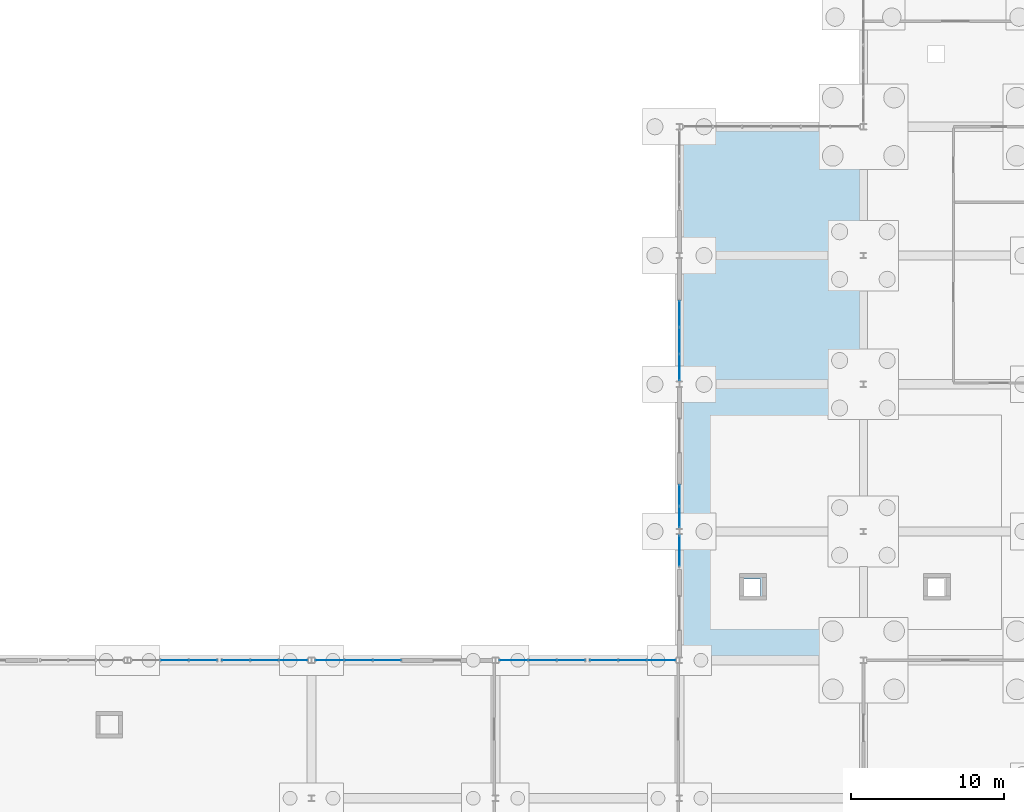
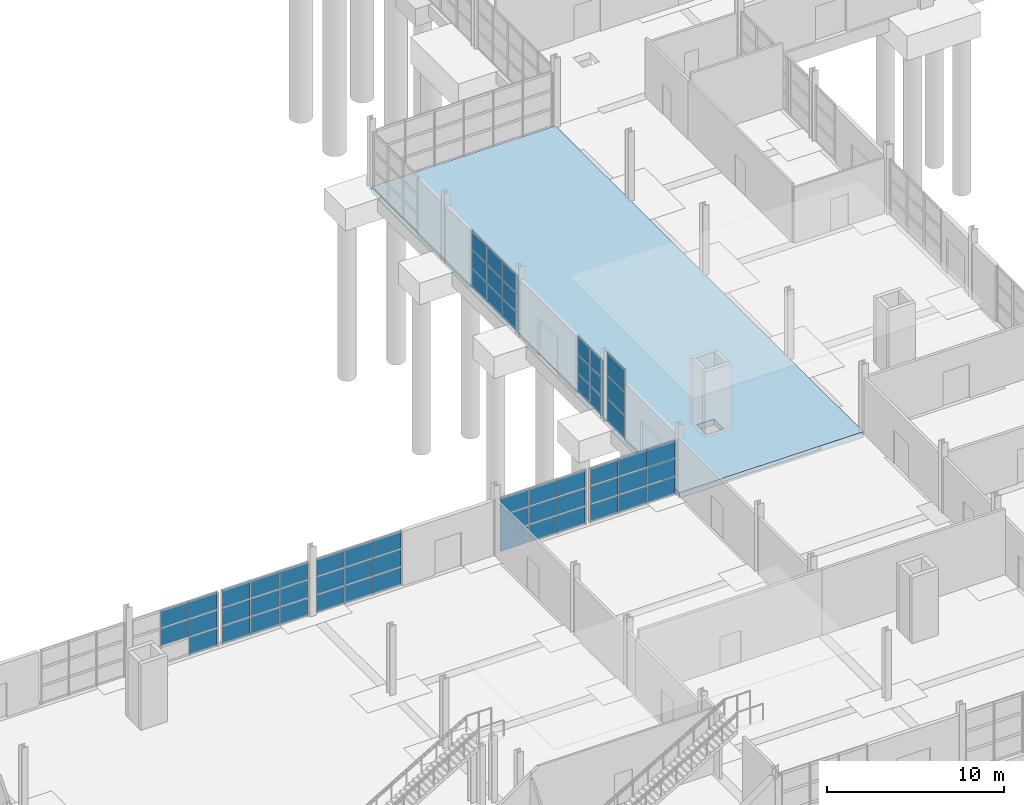
# One storey, part 48 of 82: 59 plates, 1 slab, 8 elements without a shape of their own.
"""IFC4 building model written with IfcOpenShell, lengths in metres."""

from ifc_helpers import new_model, si_unit, direction, frame, origin, origin_2d, place, context, subcontext, project, spatial, polyline, rectangle, outline, extrude, material, layer, layer_set, type_object, element, aggregate, save


model = new_model("IFC4")

# Units and contexts
model_context = context("Model", 3, precision=1e-05, world=origin(), true_north=direction((0.0, 1.0)))
body_context = subcontext(model_context, "Body", "Model", "MODEL_VIEW")
ifc_project = project(units=[si_unit("LENGTHUNIT", "METRE"), si_unit("AREAUNIT", "SQUARE_METRE"), si_unit("VOLUMEUNIT", "CUBIC_METRE"), si_unit("PLANEANGLEUNIT", "RADIAN"), si_unit("MASSUNIT", "GRAM", prefix="KILO")], contexts=[model_context])

# Site, building, storey
site_placement = place(None, origin())
site = spatial("IfcSite", under=ifc_project, at=site_placement, CompositionType="ELEMENT")
building_placement = place(site_placement, origin())
building = spatial("IfcBuilding", under=site, at=building_placement, Name="Kelmvaro Bay Concert Hall", CompositionType="ELEMENT")
storey_placement = place(building_placement, origin())
storey = spatial("IfcBuildingStorey", under=building, at=storey_placement, Name="L00", CompositionType="ELEMENT", Elevation=0.0)

# Curtain wall, plates
ifc_material_1 = material(Name="Anodised Aluminium and Low-E Insulated Glazing", Category="aluminium")
curtain_wall_type = type_object("IfcCurtainWallType", Name="Foyer Ground Hurricane Curtain Wall 4400", PredefinedType="USERDEFINED", material=ifc_material_1)
curtain_wall_1_placement = place(storey_placement, origin())
curtain_wall_1 = element("IfcCurtainWall", 1, at=curtain_wall_1_placement, inside=storey, type_object=curtain_wall_type, Name="Unitised Curtain Wall CW-L00-050", ObjectType="UNITISED GLAZING", PredefinedType="USERDEFINED")
ifc_material_2 = material(Name="Laminated Low-E Insulated Glass", Category="glass")
ifc_layer_1 = layer(ifc_material_2, 1.85009765625)
ifc_layer_set_1 = layer_set([ifc_layer_1], Name="Laminated Low-E Insulated Glass")
plate_type = type_object("IfcPlateType", Name="Courtyard Clear Low-E Glazing Panel 22", PredefinedType="CURTAIN_PANEL", material=ifc_layer_set_1)
plate_1_placement = place(storey_placement, frame((75.05712890625, 39.0, 1.281494140625), z_axis=(0.0, 0.0, 1.0), x_axis=(1.0, 0.0, 0.0)))
plate_1 = element("IfcPlate", 2, at=plate_1_placement, type_object=plate_type, Name="CW-L00-050 Insulated Glazing Panel 02-2", PredefinedType="CURTAIN_PANEL", context=body_context, shape_type="SweptSolid", body=[
    extrude(rectangle(XDim=1.803466796875, YDim=0.02197265625, at=origin_2d()), origin(), (0.0, 0.0, 1.0), 1.18408203125),
])
plate_2_placement = place(storey_placement, frame((75.05712890625, 39.0, 2.530517578125), z_axis=(0.0, 0.0, 1.0), x_axis=(1.0, 0.0, 0.0)))
plate_2 = element("IfcPlate", 3, at=plate_2_placement, type_object=plate_type, Name="CW-L00-050 Insulated Glazing Panel 02-3", PredefinedType="CURTAIN_PANEL", context=body_context, shape_type="SweptSolid", body=[
    extrude(rectangle(XDim=1.803466796875, YDim=0.02197265625, at=origin_2d()), origin(), (0.0, 0.0, 1.0), 1.18408203125),
])
plate_3_placement = place(storey_placement, frame((76.92578125, 39.0, 0.032470703125), z_axis=(0.0, 0.0, 1.0), x_axis=(1.0, 0.0, 0.0)))
plate_3 = element("IfcPlate", 4, at=plate_3_placement, type_object=plate_type, Name="CW-L00-050 Insulated Glazing Panel 03-1", PredefinedType="CURTAIN_PANEL", context=body_context, shape_type="SweptSolid", body=[
    extrude(rectangle(XDim=1.803466796875, YDim=0.02197265625, at=origin_2d()), origin(), (0.0, 0.0, 1.0), 1.18408203125),
])
plate_4_placement = place(storey_placement, frame((76.92578125, 39.0, 1.281494140625), z_axis=(0.0, 0.0, 1.0), x_axis=(1.0, 0.0, 0.0)))
plate_4 = element("IfcPlate", 5, at=plate_4_placement, type_object=plate_type, Name="CW-L00-050 Insulated Glazing Panel 03-2", PredefinedType="CURTAIN_PANEL", context=body_context, shape_type="SweptSolid", body=[
    extrude(rectangle(XDim=1.803466796875, YDim=0.02197265625, at=origin_2d()), origin(), (0.0, 0.0, 1.0), 1.18408203125),
])
plate_5_placement = place(storey_placement, frame((76.92578125, 39.0, 2.530517578125), z_axis=(0.0, 0.0, 1.0), x_axis=(1.0, 0.0, 0.0)))
plate_5 = element("IfcPlate", 6, at=plate_5_placement, type_object=plate_type, Name="CW-L00-050 Insulated Glazing Panel 03-3", PredefinedType="CURTAIN_PANEL", context=body_context, shape_type="SweptSolid", body=[
    extrude(rectangle(XDim=1.803466796875, YDim=0.02197265625, at=origin_2d()), origin(), (0.0, 0.0, 1.0), 1.18408203125),
])
aggregate(curtain_wall_1, [plate_1, plate_2, plate_3, plate_4, plate_5])

curtain_wall_2_placement = place(storey_placement, origin())
curtain_wall_2 = element("IfcCurtainWall", 7, at=curtain_wall_2_placement, inside=storey, type_object=curtain_wall_type, Name="Unitised Curtain Wall CW-L00-051", ObjectType="UNITISED GLAZING", PredefinedType="USERDEFINED")
plate_6_placement = place(storey_placement, frame((79.07421875, 39.0, 0.032470703125), z_axis=(0.0, 0.0, 1.0), x_axis=(1.0, 0.0, 0.0)))
plate_6 = element("IfcPlate", 8, at=plate_6_placement, type_object=plate_type, Name="CW-L00-051 Insulated Glazing Panel 01-1", PredefinedType="CURTAIN_PANEL", context=body_context, shape_type="SweptSolid", body=[
    extrude(rectangle(XDim=1.803466796875, YDim=0.02197265625, at=origin_2d()), origin(), (0.0, 0.0, 1.0), 1.18408203125),
])
plate_7_placement = place(storey_placement, frame((79.07421875, 39.0, 1.281494140625), z_axis=(0.0, 0.0, 1.0), x_axis=(1.0, 0.0, 0.0)))
plate_7 = element("IfcPlate", 9, at=plate_7_placement, type_object=plate_type, Name="CW-L00-051 Insulated Glazing Panel 01-2", PredefinedType="CURTAIN_PANEL", context=body_context, shape_type="SweptSolid", body=[
    extrude(rectangle(XDim=1.803466796875, YDim=0.02197265625, at=origin_2d()), origin(), (0.0, 0.0, 1.0), 1.18408203125),
])
plate_8_placement = place(storey_placement, frame((79.07421875, 39.0, 2.530517578125), z_axis=(0.0, 0.0, 1.0), x_axis=(1.0, 0.0, 0.0)))
plate_8 = element("IfcPlate", 10, at=plate_8_placement, type_object=plate_type, Name="CW-L00-051 Insulated Glazing Panel 01-3", PredefinedType="CURTAIN_PANEL", context=body_context, shape_type="SweptSolid", body=[
    extrude(rectangle(XDim=1.803466796875, YDim=0.02197265625, at=origin_2d()), origin(), (0.0, 0.0, 1.0), 1.18408203125),
])
plate_9_placement = place(storey_placement, frame((80.94287109375, 39.0, 0.032470703125), z_axis=(0.0, 0.0, 1.0), x_axis=(1.0, 0.0, 0.0)))
plate_9 = element("IfcPlate", 11, at=plate_9_placement, type_object=plate_type, Name="CW-L00-051 Insulated Glazing Panel 02-1", PredefinedType="CURTAIN_PANEL", context=body_context, shape_type="SweptSolid", body=[
    extrude(rectangle(XDim=1.803466796875, YDim=0.02197265625, at=origin_2d()), origin(), (0.0, 0.0, 1.0), 1.18408203125),
])
plate_10_placement = place(storey_placement, frame((80.94287109375, 39.0, 1.281494140625), z_axis=(0.0, 0.0, 1.0), x_axis=(1.0, 0.0, 0.0)))
plate_10 = element("IfcPlate", 12, at=plate_10_placement, type_object=plate_type, Name="CW-L00-051 Insulated Glazing Panel 02-2", PredefinedType="CURTAIN_PANEL", context=body_context, shape_type="SweptSolid", body=[
    extrude(rectangle(XDim=1.803466796875, YDim=0.02197265625, at=origin_2d()), origin(), (0.0, 0.0, 1.0), 1.18408203125),
])
plate_11_placement = place(storey_placement, frame((80.94287109375, 39.0, 2.530517578125), z_axis=(0.0, 0.0, 1.0), x_axis=(1.0, 0.0, 0.0)))
plate_11 = element("IfcPlate", 13, at=plate_11_placement, type_object=plate_type, Name="CW-L00-051 Insulated Glazing Panel 02-3", PredefinedType="CURTAIN_PANEL", context=body_context, shape_type="SweptSolid", body=[
    extrude(rectangle(XDim=1.803466796875, YDim=0.02197265625, at=origin_2d()), origin(), (0.0, 0.0, 1.0), 1.18408203125),
])
plate_12_placement = place(storey_placement, frame((82.811279296875, 39.0, 0.032470703125), z_axis=(0.0, 0.0, 1.0), x_axis=(1.0, 0.0, 0.0)))
plate_12 = element("IfcPlate", 14, at=plate_12_placement, type_object=plate_type, Name="CW-L00-051 Insulated Glazing Panel 03-1", PredefinedType="CURTAIN_PANEL", context=body_context, shape_type="SweptSolid", body=[
    extrude(rectangle(XDim=1.803466796875, YDim=0.02197265625, at=origin_2d()), origin(), (0.0, 0.0, 1.0), 1.18408203125),
])
plate_13_placement = place(storey_placement, frame((82.811279296875, 39.0, 1.281494140625), z_axis=(0.0, 0.0, 1.0), x_axis=(1.0, 0.0, 0.0)))
plate_13 = element("IfcPlate", 15, at=plate_13_placement, type_object=plate_type, Name="CW-L00-051 Insulated Glazing Panel 03-2", PredefinedType="CURTAIN_PANEL", context=body_context, shape_type="SweptSolid", body=[
    extrude(rectangle(XDim=1.803466796875, YDim=0.02197265625, at=origin_2d()), origin(), (0.0, 0.0, 1.0), 1.18408203125),
])
plate_14_placement = place(storey_placement, frame((82.811279296875, 39.0, 2.530517578125), z_axis=(0.0, 0.0, 1.0), x_axis=(1.0, 0.0, 0.0)))
plate_14 = element("IfcPlate", 16, at=plate_14_placement, type_object=plate_type, Name="CW-L00-051 Insulated Glazing Panel 03-3", PredefinedType="CURTAIN_PANEL", context=body_context, shape_type="SweptSolid", body=[
    extrude(rectangle(XDim=1.803466796875, YDim=0.02197265625, at=origin_2d()), origin(), (0.0, 0.0, 1.0), 1.18408203125),
])
aggregate(curtain_wall_2, [plate_6, plate_7, plate_8, plate_9, plate_10, plate_11, plate_12, plate_13, plate_14])

curtain_wall_3_placement = place(storey_placement, origin())
curtain_wall_3 = element("IfcCurtainWall", 17, at=curtain_wall_3_placement, inside=storey, type_object=curtain_wall_type, Name="Unitised Curtain Wall CW-L00-052", ObjectType="UNITISED GLAZING", PredefinedType="USERDEFINED")
plate_15_placement = place(storey_placement, frame((85.188720703125, 39.0, 0.032470703125), z_axis=(0.0, 0.0, 1.0), x_axis=(1.0, 0.0, 0.0)))
plate_15 = element("IfcPlate", 18, at=plate_15_placement, type_object=plate_type, Name="CW-L00-052 Insulated Glazing Panel 01-1", PredefinedType="CURTAIN_PANEL", context=body_context, shape_type="SweptSolid", body=[
    extrude(rectangle(XDim=1.803466796875, YDim=0.02197265625, at=origin_2d()), origin(), (0.0, 0.0, 1.0), 1.18408203125),
])
plate_16_placement = place(storey_placement, frame((85.188720703125, 39.0, 1.281494140625), z_axis=(0.0, 0.0, 1.0), x_axis=(1.0, 0.0, 0.0)))
plate_16 = element("IfcPlate", 19, at=plate_16_placement, type_object=plate_type, Name="CW-L00-052 Insulated Glazing Panel 01-2", PredefinedType="CURTAIN_PANEL", context=body_context, shape_type="SweptSolid", body=[
    extrude(rectangle(XDim=1.803466796875, YDim=0.02197265625, at=origin_2d()), origin(), (0.0, 0.0, 1.0), 1.18408203125),
])
plate_17_placement = place(storey_placement, frame((85.188720703125, 39.0, 2.530517578125), z_axis=(0.0, 0.0, 1.0), x_axis=(1.0, 0.0, 0.0)))
plate_17 = element("IfcPlate", 20, at=plate_17_placement, type_object=plate_type, Name="CW-L00-052 Insulated Glazing Panel 01-3", PredefinedType="CURTAIN_PANEL", context=body_context, shape_type="SweptSolid", body=[
    extrude(rectangle(XDim=1.803466796875, YDim=0.02197265625, at=origin_2d()), origin(), (0.0, 0.0, 1.0), 1.18408203125),
])
plate_18_placement = place(storey_placement, frame((87.05712890625, 39.0, 0.032470703125), z_axis=(0.0, 0.0, 1.0), x_axis=(1.0, 0.0, 0.0)))
plate_18 = element("IfcPlate", 21, at=plate_18_placement, type_object=plate_type, Name="CW-L00-052 Insulated Glazing Panel 02-1", PredefinedType="CURTAIN_PANEL", context=body_context, shape_type="SweptSolid", body=[
    extrude(rectangle(XDim=1.803466796875, YDim=0.02197265625, at=origin_2d()), origin(), (0.0, 0.0, 1.0), 1.18408203125),
])
plate_19_placement = place(storey_placement, frame((87.05712890625, 39.0, 1.281494140625), z_axis=(0.0, 0.0, 1.0), x_axis=(1.0, 0.0, 0.0)))
plate_19 = element("IfcPlate", 22, at=plate_19_placement, type_object=plate_type, Name="CW-L00-052 Insulated Glazing Panel 02-2", PredefinedType="CURTAIN_PANEL", context=body_context, shape_type="SweptSolid", body=[
    extrude(rectangle(XDim=1.803466796875, YDim=0.02197265625, at=origin_2d()), origin(), (0.0, 0.0, 1.0), 1.18408203125),
])
plate_20_placement = place(storey_placement, frame((87.05712890625, 39.0, 2.530517578125), z_axis=(0.0, 0.0, 1.0), x_axis=(1.0, 0.0, 0.0)))
plate_20 = element("IfcPlate", 23, at=plate_20_placement, type_object=plate_type, Name="CW-L00-052 Insulated Glazing Panel 02-3", PredefinedType="CURTAIN_PANEL", context=body_context, shape_type="SweptSolid", body=[
    extrude(rectangle(XDim=1.803466796875, YDim=0.02197265625, at=origin_2d()), origin(), (0.0, 0.0, 1.0), 1.18408203125),
])
plate_21_placement = place(storey_placement, frame((88.92578125, 39.0, 0.032470703125), z_axis=(0.0, 0.0, 1.0), x_axis=(1.0, 0.0, 0.0)))
plate_21 = element("IfcPlate", 24, at=plate_21_placement, type_object=plate_type, Name="CW-L00-052 Insulated Glazing Panel 03-1", PredefinedType="CURTAIN_PANEL", context=body_context, shape_type="SweptSolid", body=[
    extrude(rectangle(XDim=1.803466796875, YDim=0.02197265625, at=origin_2d()), origin(), (0.0, 0.0, 1.0), 1.18408203125),
])
plate_22_placement = place(storey_placement, frame((88.92578125, 39.0, 1.281494140625), z_axis=(0.0, 0.0, 1.0), x_axis=(1.0, 0.0, 0.0)))
plate_22 = element("IfcPlate", 25, at=plate_22_placement, type_object=plate_type, Name="CW-L00-052 Insulated Glazing Panel 03-2", PredefinedType="CURTAIN_PANEL", context=body_context, shape_type="SweptSolid", body=[
    extrude(rectangle(XDim=1.803466796875, YDim=0.02197265625, at=origin_2d()), origin(), (0.0, 0.0, 1.0), 1.18408203125),
])
plate_23_placement = place(storey_placement, frame((88.92578125, 39.0, 2.530517578125), z_axis=(0.0, 0.0, 1.0), x_axis=(1.0, 0.0, 0.0)))
plate_23 = element("IfcPlate", 26, at=plate_23_placement, type_object=plate_type, Name="CW-L00-052 Insulated Glazing Panel 03-3", PredefinedType="CURTAIN_PANEL", context=body_context, shape_type="SweptSolid", body=[
    extrude(rectangle(XDim=1.803466796875, YDim=0.02197265625, at=origin_2d()), origin(), (0.0, 0.0, 1.0), 1.18408203125),
])
aggregate(curtain_wall_3, [plate_15, plate_16, plate_17, plate_18, plate_19, plate_20, plate_21, plate_22, plate_23])

curtain_wall_4_placement = place(storey_placement, origin())
curtain_wall_4 = element("IfcCurtainWall", 27, at=curtain_wall_4_placement, inside=storey, type_object=curtain_wall_type, Name="Unitised Curtain Wall CW-L00-053", ObjectType="UNITISED GLAZING", PredefinedType="USERDEFINED")
plate_24_placement = place(storey_placement, frame((97.1875, 39.0, 0.032470703125), z_axis=(0.0, 0.0, 1.0), x_axis=(1.0, 0.0, 0.0)))
plate_24 = element("IfcPlate", 28, at=plate_24_placement, type_object=plate_type, Name="CW-L00-053 Insulated Glazing Panel 01-1", PredefinedType="CURTAIN_PANEL", context=body_context, shape_type="SweptSolid", body=[
    extrude(rectangle(XDim=1.803955078125, YDim=0.02197265625, at=origin_2d()), origin(), (0.0, 0.0, 1.0), 1.18408203125),
])
plate_25_placement = place(storey_placement, frame((97.1875, 39.0, 1.281494140625), z_axis=(0.0, 0.0, 1.0), x_axis=(1.0, 0.0, 0.0)))
plate_25 = element("IfcPlate", 29, at=plate_25_placement, type_object=plate_type, Name="CW-L00-053 Insulated Glazing Panel 01-2", PredefinedType="CURTAIN_PANEL", context=body_context, shape_type="SweptSolid", body=[
    extrude(rectangle(XDim=1.803955078125, YDim=0.02197265625, at=origin_2d()), origin(), (0.0, 0.0, 1.0), 1.18408203125),
])
plate_26_placement = place(storey_placement, frame((97.1875, 39.0, 2.530517578125), z_axis=(0.0, 0.0, 1.0), x_axis=(1.0, 0.0, 0.0)))
plate_26 = element("IfcPlate", 30, at=plate_26_placement, type_object=plate_type, Name="CW-L00-053 Insulated Glazing Panel 01-3", PredefinedType="CURTAIN_PANEL", context=body_context, shape_type="SweptSolid", body=[
    extrude(rectangle(XDim=1.803955078125, YDim=0.02197265625, at=origin_2d()), origin(), (0.0, 0.0, 1.0), 1.18408203125),
])
plate_27_placement = place(storey_placement, frame((99.056396484375, 39.0, 0.032470703125), z_axis=(0.0, 0.0, 1.0), x_axis=(1.0, 0.0, 0.0)))
plate_27 = element("IfcPlate", 31, at=plate_27_placement, type_object=plate_type, Name="CW-L00-053 Insulated Glazing Panel 02-1", PredefinedType="CURTAIN_PANEL", context=body_context, shape_type="SweptSolid", body=[
    extrude(rectangle(XDim=1.803955078125, YDim=0.02197265625, at=origin_2d()), origin(), (0.0, 0.0, 1.0), 1.18408203125),
])
plate_28_placement = place(storey_placement, frame((99.056396484375, 39.0, 1.281494140625), z_axis=(0.0, 0.0, 1.0), x_axis=(1.0, 0.0, 0.0)))
plate_28 = element("IfcPlate", 32, at=plate_28_placement, type_object=plate_type, Name="CW-L00-053 Insulated Glazing Panel 02-2", PredefinedType="CURTAIN_PANEL", context=body_context, shape_type="SweptSolid", body=[
    extrude(rectangle(XDim=1.803955078125, YDim=0.02197265625, at=origin_2d()), origin(), (0.0, 0.0, 1.0), 1.18408203125),
])
plate_29_placement = place(storey_placement, frame((99.056396484375, 39.0, 2.530517578125), z_axis=(0.0, 0.0, 1.0), x_axis=(1.0, 0.0, 0.0)))
plate_29 = element("IfcPlate", 33, at=plate_29_placement, type_object=plate_type, Name="CW-L00-053 Insulated Glazing Panel 02-3", PredefinedType="CURTAIN_PANEL", context=body_context, shape_type="SweptSolid", body=[
    extrude(rectangle(XDim=1.803955078125, YDim=0.02197265625, at=origin_2d()), origin(), (0.0, 0.0, 1.0), 1.18408203125),
])
plate_30_placement = place(storey_placement, frame((100.925537109375, 39.0, 0.032470703125), z_axis=(0.0, 0.0, 1.0), x_axis=(1.0, 0.0, 0.0)))
plate_30 = element("IfcPlate", 34, at=plate_30_placement, type_object=plate_type, Name="CW-L00-053 Insulated Glazing Panel 03-1", PredefinedType="CURTAIN_PANEL", context=body_context, shape_type="SweptSolid", body=[
    extrude(rectangle(XDim=1.803955078125, YDim=0.02197265625, at=origin_2d()), origin(), (0.0, 0.0, 1.0), 1.18408203125),
])
plate_31_placement = place(storey_placement, frame((100.925537109375, 39.0, 1.281494140625), z_axis=(0.0, 0.0, 1.0), x_axis=(1.0, 0.0, 0.0)))
plate_31 = element("IfcPlate", 35, at=plate_31_placement, type_object=plate_type, Name="CW-L00-053 Insulated Glazing Panel 03-2", PredefinedType="CURTAIN_PANEL", context=body_context, shape_type="SweptSolid", body=[
    extrude(rectangle(XDim=1.803955078125, YDim=0.02197265625, at=origin_2d()), origin(), (0.0, 0.0, 1.0), 1.18408203125),
])
plate_32_placement = place(storey_placement, frame((100.925537109375, 39.0, 2.530517578125), z_axis=(0.0, 0.0, 1.0), x_axis=(1.0, 0.0, 0.0)))
plate_32 = element("IfcPlate", 36, at=plate_32_placement, type_object=plate_type, Name="CW-L00-053 Insulated Glazing Panel 03-3", PredefinedType="CURTAIN_PANEL", context=body_context, shape_type="SweptSolid", body=[
    extrude(rectangle(XDim=1.803955078125, YDim=0.02197265625, at=origin_2d()), origin(), (0.0, 0.0, 1.0), 1.18408203125),
])
aggregate(curtain_wall_4, [plate_24, plate_25, plate_26, plate_27, plate_28, plate_29, plate_30, plate_31, plate_32])

curtain_wall_5_placement = place(storey_placement, origin())
curtain_wall_5 = element("IfcCurtainWall", 37, at=curtain_wall_5_placement, inside=storey, type_object=curtain_wall_type, Name="Unitised Curtain Wall CW-L00-054", ObjectType="UNITISED GLAZING", PredefinedType="USERDEFINED")
plate_33_placement = place(storey_placement, frame((103.074462890625, 39.0, 0.032470703125), z_axis=(0.0, 0.0, 1.0), x_axis=(1.0, 0.0, 0.0)))
plate_33 = element("IfcPlate", 38, at=plate_33_placement, type_object=plate_type, Name="CW-L00-054 Insulated Glazing Panel 01-1", PredefinedType="CURTAIN_PANEL", context=body_context, shape_type="SweptSolid", body=[
    extrude(rectangle(XDim=1.803955078125, YDim=0.02197265625, at=origin_2d()), origin(), (0.0, 0.0, 1.0), 1.18408203125),
])
plate_34_placement = place(storey_placement, frame((103.074462890625, 39.0, 1.281494140625), z_axis=(0.0, 0.0, 1.0), x_axis=(1.0, 0.0, 0.0)))
plate_34 = element("IfcPlate", 39, at=plate_34_placement, type_object=plate_type, Name="CW-L00-054 Insulated Glazing Panel 01-2", PredefinedType="CURTAIN_PANEL", context=body_context, shape_type="SweptSolid", body=[
    extrude(rectangle(XDim=1.803955078125, YDim=0.02197265625, at=origin_2d()), origin(), (0.0, 0.0, 1.0), 1.18408203125),
])
plate_35_placement = place(storey_placement, frame((103.074462890625, 39.0, 2.530517578125), z_axis=(0.0, 0.0, 1.0), x_axis=(1.0, 0.0, 0.0)))
plate_35 = element("IfcPlate", 40, at=plate_35_placement, type_object=plate_type, Name="CW-L00-054 Insulated Glazing Panel 01-3", PredefinedType="CURTAIN_PANEL", context=body_context, shape_type="SweptSolid", body=[
    extrude(rectangle(XDim=1.803955078125, YDim=0.02197265625, at=origin_2d()), origin(), (0.0, 0.0, 1.0), 1.18408203125),
])
plate_36_placement = place(storey_placement, frame((104.943603515625, 39.0, 0.032470703125), z_axis=(0.0, 0.0, 1.0), x_axis=(1.0, 0.0, 0.0)))
plate_36 = element("IfcPlate", 41, at=plate_36_placement, type_object=plate_type, Name="CW-L00-054 Insulated Glazing Panel 02-1", PredefinedType="CURTAIN_PANEL", context=body_context, shape_type="SweptSolid", body=[
    extrude(rectangle(XDim=1.803955078125, YDim=0.02197265625, at=origin_2d()), origin(), (0.0, 0.0, 1.0), 1.18408203125),
])
plate_37_placement = place(storey_placement, frame((104.943603515625, 39.0, 1.281494140625), z_axis=(0.0, 0.0, 1.0), x_axis=(1.0, 0.0, 0.0)))
plate_37 = element("IfcPlate", 42, at=plate_37_placement, type_object=plate_type, Name="CW-L00-054 Insulated Glazing Panel 02-2", PredefinedType="CURTAIN_PANEL", context=body_context, shape_type="SweptSolid", body=[
    extrude(rectangle(XDim=1.803955078125, YDim=0.02197265625, at=origin_2d()), origin(), (0.0, 0.0, 1.0), 1.18408203125),
])
plate_38_placement = place(storey_placement, frame((104.943603515625, 39.0, 2.530517578125), z_axis=(0.0, 0.0, 1.0), x_axis=(1.0, 0.0, 0.0)))
plate_38 = element("IfcPlate", 43, at=plate_38_placement, type_object=plate_type, Name="CW-L00-054 Insulated Glazing Panel 02-3", PredefinedType="CURTAIN_PANEL", context=body_context, shape_type="SweptSolid", body=[
    extrude(rectangle(XDim=1.803955078125, YDim=0.02197265625, at=origin_2d()), origin(), (0.0, 0.0, 1.0), 1.18408203125),
])
plate_39_placement = place(storey_placement, frame((106.8125, 39.0, 0.032470703125), z_axis=(0.0, 0.0, 1.0), x_axis=(1.0, 0.0, 0.0)))
plate_39 = element("IfcPlate", 44, at=plate_39_placement, type_object=plate_type, Name="CW-L00-054 Insulated Glazing Panel 03-1", PredefinedType="CURTAIN_PANEL", context=body_context, shape_type="SweptSolid", body=[
    extrude(rectangle(XDim=1.803955078125, YDim=0.02197265625, at=origin_2d()), origin(), (0.0, 0.0, 1.0), 1.18408203125),
])
plate_40_placement = place(storey_placement, frame((106.8125, 39.0, 1.281494140625), z_axis=(0.0, 0.0, 1.0), x_axis=(1.0, 0.0, 0.0)))
plate_40 = element("IfcPlate", 45, at=plate_40_placement, type_object=plate_type, Name="CW-L00-054 Insulated Glazing Panel 03-2", PredefinedType="CURTAIN_PANEL", context=body_context, shape_type="SweptSolid", body=[
    extrude(rectangle(XDim=1.803955078125, YDim=0.02197265625, at=origin_2d()), origin(), (0.0, 0.0, 1.0), 1.18408203125),
])
plate_41_placement = place(storey_placement, frame((106.8125, 39.0, 2.530517578125), z_axis=(0.0, 0.0, 1.0), x_axis=(1.0, 0.0, 0.0)))
plate_41 = element("IfcPlate", 46, at=plate_41_placement, type_object=plate_type, Name="CW-L00-054 Insulated Glazing Panel 03-3", PredefinedType="CURTAIN_PANEL", context=body_context, shape_type="SweptSolid", body=[
    extrude(rectangle(XDim=1.803955078125, YDim=0.02197265625, at=origin_2d()), origin(), (0.0, 0.0, 1.0), 1.18408203125),
])
aggregate(curtain_wall_5, [plate_33, plate_34, plate_35, plate_36, plate_37, plate_38, plate_39, plate_40, plate_41])

curtain_wall_6_placement = place(storey_placement, origin())
curtain_wall_6 = element("IfcCurtainWall", 47, at=curtain_wall_6_placement, inside=storey, type_object=curtain_wall_type, Name="Unitised Curtain Wall CW-L00-100", ObjectType="UNITISED GLAZING", PredefinedType="USERDEFINED")
plate_42_placement = place(storey_placement, frame((108.0, 46.13720703125, 0.03271484375), z_axis=(0.0, 0.0, 1.0), x_axis=(0.0, 1.0, 0.0)))
plate_42 = element("IfcPlate", 48, at=plate_42_placement, type_object=plate_type, Name="CW-L00-100 Insulated Glazing Panel 01-1", PredefinedType="CURTAIN_PANEL", context=body_context, shape_type="SweptSolid", body=[
    extrude(rectangle(XDim=1.969482421875, YDim=0.02197265625, at=origin_2d()), origin(), (0.0, 0.0, 1.0), 1.534912109375),
])
plate_43_placement = place(storey_placement, frame((108.0, 46.13720703125, 1.63232421875), z_axis=(0.0, 0.0, 1.0), x_axis=(0.0, 1.0, 0.0)))
plate_43 = element("IfcPlate", 49, at=plate_43_placement, type_object=plate_type, Name="CW-L00-100 Insulated Glazing Panel 01-2", PredefinedType="CURTAIN_PANEL", context=body_context, shape_type="SweptSolid", body=[
    extrude(rectangle(XDim=1.969482421875, YDim=0.02197265625, at=origin_2d()), origin(), (0.0, 0.0, 1.0), 1.534912109375),
])
plate_44_placement = place(storey_placement, frame((108.0, 46.13720703125, 3.232421875), z_axis=(0.0, 0.0, 1.0), x_axis=(0.0, 1.0, 0.0)))
plate_44 = element("IfcPlate", 50, at=plate_44_placement, type_object=plate_type, Name="CW-L00-100 Insulated Glazing Panel 01-3", PredefinedType="CURTAIN_PANEL", context=body_context, shape_type="SweptSolid", body=[
    extrude(rectangle(XDim=1.969482421875, YDim=0.02197265625, at=origin_2d()), origin(), (0.0, 0.0, 1.0), 1.534912109375),
])
aggregate(curtain_wall_6, [plate_42, plate_43, plate_44])

curtain_wall_7_placement = place(storey_placement, origin())
curtain_wall_7 = element("IfcCurtainWall", 51, at=curtain_wall_7_placement, inside=storey, type_object=curtain_wall_type, Name="Unitised Curtain Wall CW-L00-101", ObjectType="UNITISED GLAZING", PredefinedType="USERDEFINED")
plate_45_placement = place(storey_placement, frame((108.0, 48.34912109375, 0.03271484375), z_axis=(0.0, 0.0, 1.0), x_axis=(0.0, 1.0, 0.0)))
plate_45 = element("IfcPlate", 52, at=plate_45_placement, type_object=plate_type, Name="CW-L00-101 Insulated Glazing Panel 01-1", PredefinedType="CURTAIN_PANEL", context=body_context, shape_type="SweptSolid", body=[
    extrude(rectangle(XDim=1.34228515625, YDim=0.02197265625, at=origin_2d()), origin(), (0.0, 0.0, 1.0), 1.2412109375),
])
plate_46_placement = place(storey_placement, frame((108.0, 48.34912109375, 1.3388671875), z_axis=(0.0, 0.0, 1.0), x_axis=(0.0, 1.0, 0.0)))
plate_46 = element("IfcPlate", 53, at=plate_46_placement, type_object=plate_type, Name="CW-L00-101 Insulated Glazing Panel 01-2", PredefinedType="CURTAIN_PANEL", context=body_context, shape_type="SweptSolid", body=[
    extrude(rectangle(XDim=1.34228515625, YDim=0.02197265625, at=origin_2d()), origin(), (0.0, 0.0, 1.0), 1.241455078125),
])
plate_47_placement = place(storey_placement, frame((108.0, 48.34912109375, 2.645263671875), z_axis=(0.0, 0.0, 1.0), x_axis=(0.0, 1.0, 0.0)))
plate_47 = element("IfcPlate", 54, at=plate_47_placement, type_object=plate_type, Name="CW-L00-101 Insulated Glazing Panel 01-3", PredefinedType="CURTAIN_PANEL", context=body_context, shape_type="SweptSolid", body=[
    extrude(rectangle(XDim=1.34228515625, YDim=0.02197265625, at=origin_2d()), origin(), (0.0, 0.0, 1.0), 1.2412109375),
])
plate_48_placement = place(storey_placement, frame((108.0, 49.75634765625, 0.03271484375), z_axis=(0.0, 0.0, 1.0), x_axis=(0.0, 1.0, 0.0)))
plate_48 = element("IfcPlate", 55, at=plate_48_placement, type_object=plate_type, Name="CW-L00-101 Insulated Glazing Panel 02-1", PredefinedType="CURTAIN_PANEL", context=body_context, shape_type="SweptSolid", body=[
    extrude(rectangle(XDim=1.34228515625, YDim=0.02197265625, at=origin_2d()), origin(), (0.0, 0.0, 1.0), 1.2412109375),
])
plate_49_placement = place(storey_placement, frame((108.0, 49.75634765625, 1.3388671875), z_axis=(0.0, 0.0, 1.0), x_axis=(0.0, 1.0, 0.0)))
plate_49 = element("IfcPlate", 56, at=plate_49_placement, type_object=plate_type, Name="CW-L00-101 Insulated Glazing Panel 02-2", PredefinedType="CURTAIN_PANEL", context=body_context, shape_type="SweptSolid", body=[
    extrude(rectangle(XDim=1.34228515625, YDim=0.02197265625, at=origin_2d()), origin(), (0.0, 0.0, 1.0), 1.241455078125),
])
plate_50_placement = place(storey_placement, frame((108.0, 49.75634765625, 2.645263671875), z_axis=(0.0, 0.0, 1.0), x_axis=(0.0, 1.0, 0.0)))
plate_50 = element("IfcPlate", 57, at=plate_50_placement, type_object=plate_type, Name="CW-L00-101 Insulated Glazing Panel 02-3", PredefinedType="CURTAIN_PANEL", context=body_context, shape_type="SweptSolid", body=[
    extrude(rectangle(XDim=1.34228515625, YDim=0.02197265625, at=origin_2d()), origin(), (0.0, 0.0, 1.0), 1.2412109375),
])
aggregate(curtain_wall_7, [plate_45, plate_46, plate_47, plate_48, plate_49, plate_50])

curtain_wall_8_placement = place(storey_placement, origin())
curtain_wall_8 = element("IfcCurtainWall", 58, at=curtain_wall_8_placement, inside=storey, type_object=curtain_wall_type, Name="Unitised Curtain Wall CW-L00-103", ObjectType="UNITISED GLAZING", PredefinedType="USERDEFINED")
plate_51_placement = place(storey_placement, frame((108.0, 58.114501953125, 0.03271484375), z_axis=(0.0, 0.0, 1.0), x_axis=(0.0, 1.0, 0.0)))
plate_51 = element("IfcPlate", 59, at=plate_51_placement, type_object=plate_type, Name="CW-L00-103 Insulated Glazing Panel 01-1", PredefinedType="CURTAIN_PANEL", context=body_context, shape_type="SweptSolid", body=[
    extrude(rectangle(XDim=1.673095703125, YDim=0.02197265625, at=origin_2d()), origin(), (0.0, 0.0, 1.0), 1.240966796875),
])
plate_52_placement = place(storey_placement, frame((108.0, 58.114501953125, 1.33837890625), z_axis=(0.0, 0.0, 1.0), x_axis=(0.0, 1.0, 0.0)))
plate_52 = element("IfcPlate", 60, at=plate_52_placement, type_object=plate_type, Name="CW-L00-103 Insulated Glazing Panel 01-2", PredefinedType="CURTAIN_PANEL", context=body_context, shape_type="SweptSolid", body=[
    extrude(rectangle(XDim=1.673095703125, YDim=0.02197265625, at=origin_2d()), origin(), (0.0, 0.0, 1.0), 1.240966796875),
])
plate_53_placement = place(storey_placement, frame((108.0, 58.114501953125, 2.64453125), z_axis=(0.0, 0.0, 1.0), x_axis=(0.0, 1.0, 0.0)))
plate_53 = element("IfcPlate", 61, at=plate_53_placement, type_object=plate_type, Name="CW-L00-103 Insulated Glazing Panel 01-3", PredefinedType="CURTAIN_PANEL", context=body_context, shape_type="SweptSolid", body=[
    extrude(rectangle(XDim=1.673095703125, YDim=0.02197265625, at=origin_2d()), origin(), (0.0, 0.0, 1.0), 1.240966796875),
])
plate_54_placement = place(storey_placement, frame((108.0, 59.852783203125, 0.03271484375), z_axis=(0.0, 0.0, 1.0), x_axis=(0.0, 1.0, 0.0)))
plate_54 = element("IfcPlate", 62, at=plate_54_placement, type_object=plate_type, Name="CW-L00-103 Insulated Glazing Panel 02-1", PredefinedType="CURTAIN_PANEL", context=body_context, shape_type="SweptSolid", body=[
    extrude(rectangle(XDim=1.673095703125, YDim=0.02197265625, at=origin_2d()), origin(), (0.0, 0.0, 1.0), 1.240966796875),
])
plate_55_placement = place(storey_placement, frame((108.0, 59.852783203125, 1.33837890625), z_axis=(0.0, 0.0, 1.0), x_axis=(0.0, 1.0, 0.0)))
plate_55 = element("IfcPlate", 63, at=plate_55_placement, type_object=plate_type, Name="CW-L00-103 Insulated Glazing Panel 02-2", PredefinedType="CURTAIN_PANEL", context=body_context, shape_type="SweptSolid", body=[
    extrude(rectangle(XDim=1.673095703125, YDim=0.02197265625, at=origin_2d()), origin(), (0.0, 0.0, 1.0), 1.240966796875),
])
plate_56_placement = place(storey_placement, frame((108.0, 59.852783203125, 2.64453125), z_axis=(0.0, 0.0, 1.0), x_axis=(0.0, 1.0, 0.0)))
plate_56 = element("IfcPlate", 64, at=plate_56_placement, type_object=plate_type, Name="CW-L00-103 Insulated Glazing Panel 02-3", PredefinedType="CURTAIN_PANEL", context=body_context, shape_type="SweptSolid", body=[
    extrude(rectangle(XDim=1.673095703125, YDim=0.02197265625, at=origin_2d()), origin(), (0.0, 0.0, 1.0), 1.240966796875),
])
plate_57_placement = place(storey_placement, frame((108.0, 61.5908203125, 0.03271484375), z_axis=(0.0, 0.0, 1.0), x_axis=(0.0, 1.0, 0.0)))
plate_57 = element("IfcPlate", 65, at=plate_57_placement, type_object=plate_type, Name="CW-L00-103 Insulated Glazing Panel 03-1", PredefinedType="CURTAIN_PANEL", context=body_context, shape_type="SweptSolid", body=[
    extrude(rectangle(XDim=1.673095703125, YDim=0.02197265625, at=origin_2d()), origin(), (0.0, 0.0, 1.0), 1.240966796875),
])
plate_58_placement = place(storey_placement, frame((108.0, 61.5908203125, 1.33837890625), z_axis=(0.0, 0.0, 1.0), x_axis=(0.0, 1.0, 0.0)))
plate_58 = element("IfcPlate", 66, at=plate_58_placement, type_object=plate_type, Name="CW-L00-103 Insulated Glazing Panel 03-2", PredefinedType="CURTAIN_PANEL", context=body_context, shape_type="SweptSolid", body=[
    extrude(rectangle(XDim=1.673095703125, YDim=0.02197265625, at=origin_2d()), origin(), (0.0, 0.0, 1.0), 1.240966796875),
])
plate_59_placement = place(storey_placement, frame((108.0, 61.5908203125, 2.64453125), z_axis=(0.0, 0.0, 1.0), x_axis=(0.0, 1.0, 0.0)))
plate_59 = element("IfcPlate", 67, at=plate_59_placement, type_object=plate_type, Name="CW-L00-103 Insulated Glazing Panel 03-3", PredefinedType="CURTAIN_PANEL", context=body_context, shape_type="SweptSolid", body=[
    extrude(rectangle(XDim=1.673095703125, YDim=0.02197265625, at=origin_2d()), origin(), (0.0, 0.0, 1.0), 1.240966796875),
])
aggregate(curtain_wall_8, [plate_51, plate_52, plate_53, plate_54, plate_55, plate_56, plate_57, plate_58, plate_59])

# Slab
ifc_material_3 = material(Name="Concrete C40/50", Category="concrete")
ifc_layer_2 = layer(ifc_material_3, 0.389892578125)
ifc_layer_set_2 = layer_set([ifc_layer_2], Name="Concrete C40/50")
slab_type = type_object("IfcSlabType", Name="Foyer Ground Structural Slab 390", PredefinedType="BASESLAB", material=ifc_layer_set_2)
slab_placement = place(storey_placement, frame((0.0, 0.0, -0.389892578125)))
element("IfcSlab", 68, at=slab_placement, inside=storey, type_object=slab_type, Name="L00 Structural Slab V5-E1", PredefinedType="BASESLAB", context=body_context, shape_type="SweptSolid", body=[
    extrude(outline(polyline([(108.0, 39.0), (120.0, 39.0), (120.0, 73.800048828125), (108.0, 73.800048828125), (108.0, 39.0)]), holes=[polyline([(112.199951171875, 43.199951171875), (113.300048828125, 43.199951171875), (113.300048828125, 44.300048828125), (112.199951171875, 44.300048828125), (112.199951171875, 43.199951171875)])]), origin(), (0.0, 0.0, 1.0), 0.389892578125),
])

save(model, "model.ifc")
